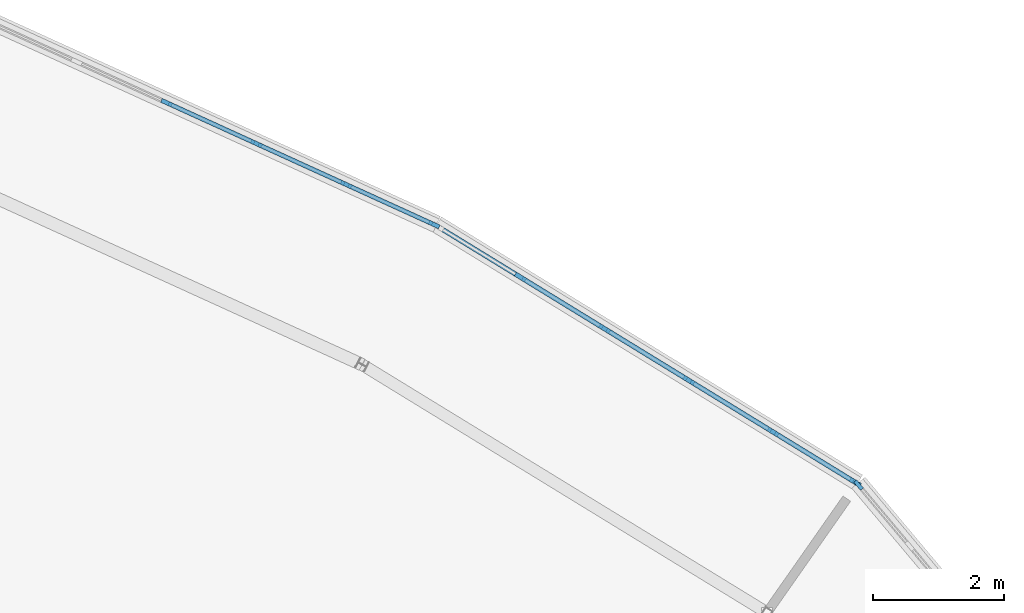
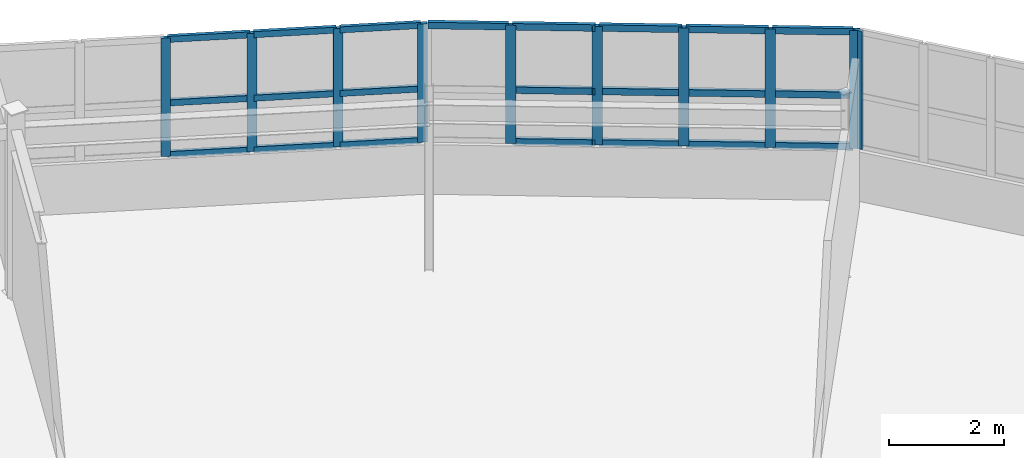
# One storey, part 35 of 65: 32 members, 3 elements without a shape of their own.
"""IFC4 building model written with IfcOpenShell, lengths in metres."""

from ifc_helpers import new_model, si_unit, direction, frame, origin, origin_2d, place, context, subcontext, project, spatial, rectangle, extrude, material, layer, layer_set, material_profile, profile_set, type_object, element, aggregate, save


model = new_model("IFC4")

# Units and contexts
model_context = context("Model", 3, precision=1e-05, world=origin(), true_north=direction((0.0, 1.0)))
body_context = subcontext(model_context, "Body", "Model", "MODEL_VIEW")
ifc_project = project(units=[si_unit("LENGTHUNIT", "METRE"), si_unit("AREAUNIT", "SQUARE_METRE"), si_unit("VOLUMEUNIT", "CUBIC_METRE"), si_unit("PLANEANGLEUNIT", "RADIAN"), si_unit("MASSUNIT", "GRAM", prefix="KILO")], contexts=[model_context])

# Site, building, storey
site_placement = place(None, origin())
site = spatial("IfcSite", under=ifc_project, at=site_placement, CompositionType="ELEMENT")
building_placement = place(site_placement, origin())
building = spatial("IfcBuilding", under=site, at=building_placement, Name="Tarnwether General Hospital", CompositionType="ELEMENT")
storey_placement = place(building_placement, frame((0.0, 0.0, 22.199951171875)))
storey = spatial("IfcBuildingStorey", under=building, at=storey_placement, Name="L05", CompositionType="ELEMENT", Elevation=22.199951171875)

# Curtain wall, member
ifc_material_1 = material(Name="Anodised aluminium", Category="aluminium")
ifc_layer_1 = layer(ifc_material_1, 0.159912109375)
ifc_layer_set_1 = layer_set([ifc_layer_1], Name="Anodised aluminium")
curtain_wall_type_1 = type_object("IfcCurtainWallType", Name="CW-03", PredefinedType="NOTDEFINED", material=ifc_layer_set_1)
curtain_wall_1_placement = place(storey_placement, origin())
curtain_wall_1 = element("IfcCurtainWall", 1, at=curtain_wall_1_placement, inside=storey, type_object=curtain_wall_type_1, Name="Curtain Wall CWG-L05-1273_1135-0085", PredefinedType="NOTDEFINED")
ifc_material_2 = material(Name="Anodised aluminium", Category="aluminium")
ifc_material_profile_1 = material_profile(ifc_material_2, rectangle(XDim=0.06005859375, YDim=0.159912109375, at=origin_2d()), Name="ALU-MUL-60x160")
ifc_profile_set_1 = profile_set([ifc_material_profile_1], Name="Anodised aluminium")
member_type_1 = type_object("IfcMemberType", Name="CW-ML1", PredefinedType="MULLION", material=ifc_profile_set_1)
member_1_placement = place(storey_placement, frame((127.351318359375, 113.43701171875, 1.050048828125), z_axis=(0.0, 0.0, 1.0), x_axis=(0.765990176896, 0.64285227611, 0.0)))
member_1 = element("IfcMember", 2, at=member_1_placement, type_object=member_type_1, Name="CW-03 mullion 1", PredefinedType="MULLION", context=body_context, shape_type="SweptSolid", body=[
    extrude(rectangle(XDim=0.06005859375, YDim=0.159912109375, at=origin_2d()), origin(), (0.0, 0.0, 1.0), 2.510009765625),
])
aggregate(curtain_wall_1, [member_1])

# Curtain wall, members
ifc_material_3 = material(Name="Anodised aluminium", Category="aluminium")
ifc_layer_2 = layer(ifc_material_3, 0.159912109375)
ifc_layer_set_2 = layer_set([ifc_layer_2], Name="Anodised aluminium")
curtain_wall_type_2 = type_object("IfcCurtainWallType", Name="CW-05", PredefinedType="NOTDEFINED", material=ifc_layer_set_2)
curtain_wall_2_placement = place(storey_placement, origin())
curtain_wall_2 = element("IfcCurtainWall", 3, at=curtain_wall_2_placement, inside=storey, type_object=curtain_wall_type_2, Name="Curtain Wall CWG-L05-1209_1174-0086", PredefinedType="NOTDEFINED")
ifc_material_4 = material(Name="Anodised aluminium", Category="aluminium")
ifc_material_profile_2 = material_profile(ifc_material_4, rectangle(XDim=0.070068359375, YDim=0.179931640625, at=origin_2d()), Name="ALU-MUL-70x180")
ifc_profile_set_2 = profile_set([ifc_material_profile_2], Name="Anodised aluminium")
member_type_2 = type_object("IfcMemberType", Name="CW-ML2", PredefinedType="MULLION", material=ifc_profile_set_2)
member_2_placement = place(storey_placement, frame((122.20166015625, 116.60400390625, 1.050048828125), z_axis=(0.0, 0.0, 1.0), x_axis=(0.522509056361, 0.852633734977, 0.0)))
member_2 = element("IfcMember", 4, at=member_2_placement, type_object=member_type_2, Name="CW-05 mullion 2", PredefinedType="MULLION", context=body_context, shape_type="SweptSolid", body=[
    extrude(rectangle(XDim=0.070068359375, YDim=0.179931640625, at=origin_2d()), origin(), (0.0, 0.0, 1.0), 2.510009765625),
])
member_3_placement = place(storey_placement, frame((123.484130859375, 115.818115234375, 1.050048828125), z_axis=(0.0, 0.0, 1.0), x_axis=(0.522509056361, 0.852633734977, 0.0)))
member_3 = element("IfcMember", 5, at=member_3_placement, type_object=member_type_2, Name="CW-05 mullion 3", PredefinedType="MULLION", context=body_context, shape_type="SweptSolid", body=[
    extrude(rectangle(XDim=0.070068359375, YDim=0.179931640625, at=origin_2d()), origin(), (0.0, 0.0, 1.0), 2.510009765625),
])
member_4_placement = place(storey_placement, frame((124.766845703125, 115.031982421875, 1.050048828125), z_axis=(0.0, 0.0, 1.0), x_axis=(0.522509056361, 0.852633734977, 0.0)))
member_4 = element("IfcMember", 6, at=member_4_placement, type_object=member_type_2, Name="CW-05 mullion 4", PredefinedType="MULLION", context=body_context, shape_type="SweptSolid", body=[
    extrude(rectangle(XDim=0.070068359375, YDim=0.179931640625, at=origin_2d()), origin(), (0.0, 0.0, 1.0), 2.510009765625),
])
member_5_placement = place(storey_placement, frame((126.04931640625, 114.24609375, 1.050048828125), z_axis=(0.0, 0.0, 1.0), x_axis=(0.522509056361, 0.852633734977, 0.0)))
member_5 = element("IfcMember", 7, at=member_5_placement, type_object=member_type_2, Name="CW-05 mullion 5", PredefinedType="MULLION", context=body_context, shape_type="SweptSolid", body=[
    extrude(rectangle(XDim=0.070068359375, YDim=0.179931640625, at=origin_2d()), origin(), (0.0, 0.0, 1.0), 2.510009765625),
])
member_6_placement = place(storey_placement, frame((127.30224609375, 113.478271484375, 1.050048828125), z_axis=(0.0, 0.0, 1.0), x_axis=(0.522509056361, 0.852633734977, 0.0)))
member_6 = element("IfcMember", 8, at=member_6_placement, type_object=member_type_2, Name="CW-05 mullion 6", PredefinedType="MULLION", context=body_context, shape_type="SweptSolid", body=[
    extrude(rectangle(XDim=0.070068359375, YDim=0.179931640625, at=origin_2d()), origin(), (0.0, 0.0, 1.0), 2.510009765625),
])

curtain_wall_3_placement = place(storey_placement, origin())
curtain_wall_3 = element("IfcCurtainWall", 9, at=curtain_wall_3_placement, inside=storey, type_object=curtain_wall_type_2, Name="Curtain Wall CWG-L05-1141_1205-0087", PredefinedType="NOTDEFINED")
ifc_material_5 = material(Name="Anodised aluminium", Category="aluminium")
ifc_material_profile_3 = material_profile(ifc_material_5, rectangle(XDim=0.06494140625, YDim=0.169921875, at=origin_2d()), Name="ALU-MUL-65x170")
ifc_profile_set_3 = profile_set([ifc_material_profile_3], Name="Anodised aluminium")
member_type_3 = type_object("IfcMemberType", Name="CW-ML3", PredefinedType="MULLION", material=ifc_profile_set_3)
member_7_placement = place(storey_placement, frame((116.8125, 119.261474609375, 1.050048828125), z_axis=(0.0, 0.0, 1.0), x_axis=(0.414694289316, 0.909960793886, 0.0)))
member_7 = element("IfcMember", 10, at=member_7_placement, type_object=member_type_3, Name="CW-05 mullion 3", PredefinedType="MULLION", context=body_context, shape_type="SweptSolid", body=[
    extrude(rectangle(XDim=0.06494140625, YDim=0.169921875, at=origin_2d()), origin(), (0.0, 0.0, 1.0), 2.510009765625),
])
member_8_placement = place(storey_placement, frame((118.181396484375, 118.6376953125, 1.050048828125), z_axis=(0.0, 0.0, 1.0), x_axis=(0.414694289316, 0.909960793886, 0.0)))
member_8 = element("IfcMember", 11, at=member_8_placement, type_object=member_type_3, Name="CW-05 mullion 4", PredefinedType="MULLION", context=body_context, shape_type="SweptSolid", body=[
    extrude(rectangle(XDim=0.06494140625, YDim=0.169921875, at=origin_2d()), origin(), (0.0, 0.0, 1.0), 2.510009765625),
])
member_9_placement = place(storey_placement, frame((119.55029296875, 118.013916015625, 1.050048828125), z_axis=(0.0, 0.0, 1.0), x_axis=(0.414694289316, 0.909960793886, 0.0)))
member_9 = element("IfcMember", 12, at=member_9_placement, type_object=member_type_3, Name="CW-05 mullion 5", PredefinedType="MULLION", context=body_context, shape_type="SweptSolid", body=[
    extrude(rectangle(XDim=0.06494140625, YDim=0.169921875, at=origin_2d()), origin(), (0.0, 0.0, 1.0), 2.510009765625),
])
member_10_placement = place(storey_placement, frame((120.889404296875, 117.403564453125, 1.050048828125), z_axis=(0.0, 0.0, 1.0), x_axis=(0.414694289316, 0.909960793886, 0.0)))
member_10 = element("IfcMember", 13, at=member_10_placement, type_object=member_type_3, Name="CW-05 mullion 6", PredefinedType="MULLION", context=body_context, shape_type="SweptSolid", body=[
    extrude(rectangle(XDim=0.06494140625, YDim=0.169921875, at=origin_2d()), origin(), (0.0, 0.0, 1.0), 2.510009765625),
])

# Member
ifc_material_6 = material(Name="Anodised aluminium", Category="aluminium")
ifc_material_profile_4 = material_profile(ifc_material_6, rectangle(XDim=0.070068359375, YDim=0.139892578125, at=origin_2d()), Name="ALU-TRN-70x140")
ifc_profile_set_4 = profile_set([ifc_material_profile_4], Name="Anodised aluminium")
member_type_4 = type_object("IfcMemberType", Name="CW-TR2", PredefinedType="USERDEFINED", material=ifc_profile_set_4)
member_11_placement = place(storey_placement, frame((120.978759765625, 117.353515625, 3.525146484375), z_axis=(0.852621311554, -0.522529328444, 0.0), x_axis=(0.522529328444, 0.852621311554, 0.0)))
member_11 = element("IfcMember", 14, at=member_11_placement, type_object=member_type_4, Name="CW-05 transom 1.3", ObjectType="TRANSOM", PredefinedType="USERDEFINED", context=body_context, shape_type="SweptSolid", body=[
    extrude(rectangle(XDim=0.070068359375, YDim=0.139892578125, at=origin_2d()), origin(), (0.0, 0.0, 1.0), 1.3994140625),
])

member_12_placement = place(storey_placement, frame((122.2314453125, 116.585693359375, 1.0849609375), z_axis=(0.85260369875, -0.522558066513, 0.0), x_axis=(0.522558066513, 0.85260369875, 0.0)))
member_12 = element("IfcMember", 15, at=member_12_placement, type_object=member_type_4, Name="CW-05 transom 2.1", ObjectType="TRANSOM", PredefinedType="USERDEFINED", context=body_context, shape_type="SweptSolid", body=[
    extrude(rectangle(XDim=0.070068359375, YDim=0.139892578125, at=origin_2d()), origin(), (0.0, 0.0, 1.0), 1.434326171875),
])

member_13_placement = place(storey_placement, frame((122.2314453125, 116.585693359375, 2.179443359375), z_axis=(0.85260369875, -0.522558066513, 0.0), x_axis=(0.522558066513, 0.85260369875, 0.0)))
member_13 = element("IfcMember", 16, at=member_13_placement, type_object=member_type_4, Name="CW-05 transom 2.2", ObjectType="TRANSOM", PredefinedType="USERDEFINED", context=body_context, shape_type="SweptSolid", body=[
    extrude(rectangle(XDim=0.070068359375, YDim=0.139892578125, at=origin_2d()), origin(), (0.0, 0.0, 1.0), 1.434326171875),
])

member_14_placement = place(storey_placement, frame((122.2314453125, 116.585693359375, 3.525146484375), z_axis=(0.85260369875, -0.522558066513, 0.0), x_axis=(0.522558066513, 0.85260369875, 0.0)))
member_14 = element("IfcMember", 17, at=member_14_placement, type_object=member_type_4, Name="CW-05 transom 2.3", ObjectType="TRANSOM", PredefinedType="USERDEFINED", context=body_context, shape_type="SweptSolid", body=[
    extrude(rectangle(XDim=0.070068359375, YDim=0.139892578125, at=origin_2d()), origin(), (0.0, 0.0, 1.0), 1.434326171875),
])

member_15_placement = place(storey_placement, frame((123.51416015625, 115.7998046875, 1.0849609375), z_axis=(0.85260369875, -0.522558066513, 0.0), x_axis=(0.522558066513, 0.85260369875, 0.0)))
member_15 = element("IfcMember", 18, at=member_15_placement, type_object=member_type_4, Name="CW-05 transom 3.1", ObjectType="TRANSOM", PredefinedType="USERDEFINED", context=body_context, shape_type="SweptSolid", body=[
    extrude(rectangle(XDim=0.070068359375, YDim=0.139892578125, at=origin_2d()), origin(), (0.0, 0.0, 1.0), 1.434326171875),
])

member_16_placement = place(storey_placement, frame((123.51416015625, 115.7998046875, 2.179443359375), z_axis=(0.85260369875, -0.522558066513, 0.0), x_axis=(0.522558066513, 0.85260369875, 0.0)))
member_16 = element("IfcMember", 19, at=member_16_placement, type_object=member_type_4, Name="CW-05 transom 3.2", ObjectType="TRANSOM", PredefinedType="USERDEFINED", context=body_context, shape_type="SweptSolid", body=[
    extrude(rectangle(XDim=0.070068359375, YDim=0.139892578125, at=origin_2d()), origin(), (0.0, 0.0, 1.0), 1.434326171875),
])

member_17_placement = place(storey_placement, frame((123.51416015625, 115.7998046875, 3.525146484375), z_axis=(0.85260369875, -0.522558066513, 0.0), x_axis=(0.522558066513, 0.85260369875, 0.0)))
member_17 = element("IfcMember", 20, at=member_17_placement, type_object=member_type_4, Name="CW-05 transom 3.3", ObjectType="TRANSOM", PredefinedType="USERDEFINED", context=body_context, shape_type="SweptSolid", body=[
    extrude(rectangle(XDim=0.070068359375, YDim=0.139892578125, at=origin_2d()), origin(), (0.0, 0.0, 1.0), 1.434326171875),
])

member_18_placement = place(storey_placement, frame((124.796630859375, 115.013671875, 1.0849609375), z_axis=(0.852679532957, -0.522434315561, 0.0), x_axis=(0.522434315561, 0.852679532957, 0.0)))
member_18 = element("IfcMember", 21, at=member_18_placement, type_object=member_type_4, Name="CW-05 transom 4.1", ObjectType="TRANSOM", PredefinedType="USERDEFINED", context=body_context, shape_type="SweptSolid", body=[
    extrude(rectangle(XDim=0.070068359375, YDim=0.139892578125, at=origin_2d()), origin(), (0.0, 0.0, 1.0), 1.43408203125),
])

member_19_placement = place(storey_placement, frame((124.796630859375, 115.013671875, 2.179443359375), z_axis=(0.852679532957, -0.522434315561, 0.0), x_axis=(0.522434315561, 0.852679532957, 0.0)))
member_19 = element("IfcMember", 22, at=member_19_placement, type_object=member_type_4, Name="CW-05 transom 4.2", ObjectType="TRANSOM", PredefinedType="USERDEFINED", context=body_context, shape_type="SweptSolid", body=[
    extrude(rectangle(XDim=0.070068359375, YDim=0.139892578125, at=origin_2d()), origin(), (0.0, 0.0, 1.0), 1.43408203125),
])

member_20_placement = place(storey_placement, frame((124.796630859375, 115.013671875, 3.525146484375), z_axis=(0.852679532957, -0.522434315561, 0.0), x_axis=(0.522434315561, 0.852679532957, 0.0)))
member_20 = element("IfcMember", 23, at=member_20_placement, type_object=member_type_4, Name="CW-05 transom 4.3", ObjectType="TRANSOM", PredefinedType="USERDEFINED", context=body_context, shape_type="SweptSolid", body=[
    extrude(rectangle(XDim=0.070068359375, YDim=0.139892578125, at=origin_2d()), origin(), (0.0, 0.0, 1.0), 1.43408203125),
])

member_21_placement = place(storey_placement, frame((126.079345703125, 114.227783203125, 1.0849609375), z_axis=(0.852573664934, -0.52260706641, 0.0), x_axis=(0.52260706641, 0.852573664934, 0.0)))
member_21 = element("IfcMember", 24, at=member_21_placement, type_object=member_type_4, Name="CW-05 transom 5.1", ObjectType="TRANSOM", PredefinedType="USERDEFINED", context=body_context, shape_type="SweptSolid", body=[
    extrude(rectangle(XDim=0.070068359375, YDim=0.139892578125, at=origin_2d()), origin(), (0.0, 0.0, 1.0), 1.399169921875),
])

member_22_placement = place(storey_placement, frame((126.079345703125, 114.227783203125, 2.179443359375), z_axis=(0.852573664934, -0.52260706641, 0.0), x_axis=(0.52260706641, 0.852573664934, 0.0)))
member_22 = element("IfcMember", 25, at=member_22_placement, type_object=member_type_4, Name="CW-05 transom 5.2", ObjectType="TRANSOM", PredefinedType="USERDEFINED", context=body_context, shape_type="SweptSolid", body=[
    extrude(rectangle(XDim=0.070068359375, YDim=0.139892578125, at=origin_2d()), origin(), (0.0, 0.0, 1.0), 1.399169921875),
])

member_23_placement = place(storey_placement, frame((126.079345703125, 114.227783203125, 3.525146484375), z_axis=(0.852573664934, -0.52260706641, 0.0), x_axis=(0.52260706641, 0.852573664934, 0.0)))
member_23 = element("IfcMember", 26, at=member_23_placement, type_object=member_type_4, Name="CW-05 transom 5.3", ObjectType="TRANSOM", PredefinedType="USERDEFINED", context=body_context, shape_type="SweptSolid", body=[
    extrude(rectangle(XDim=0.070068359375, YDim=0.139892578125, at=origin_2d()), origin(), (0.0, 0.0, 1.0), 1.399169921875),
])

aggregate(curtain_wall_2, [member_2, member_3, member_4, member_5, member_6, member_11, member_12, member_13, member_14, member_15, member_16, member_17, member_18, member_19, member_20, member_21, member_22, member_23])

ifc_material_7 = material(Name="Anodised aluminium", Category="aluminium")
ifc_material_profile_5 = material_profile(ifc_material_7, rectangle(XDim=0.06494140625, YDim=0.1298828125, at=origin_2d()), Name="ALU-TRN-65x130")
ifc_profile_set_5 = profile_set([ifc_material_profile_5], Name="Anodised aluminium")
member_type_5 = type_object("IfcMemberType", Name="CW-TR3", PredefinedType="USERDEFINED", material=ifc_profile_set_5)
member_24_placement = place(storey_placement, frame((116.84228515625, 119.247802734375, 1.08251953125), z_axis=(0.909994277716, -0.414620808117, 0.0), x_axis=(0.414620808117, 0.909994277716, 0.0)))
member_24 = element("IfcMember", 27, at=member_24_placement, type_object=member_type_5, Name="CW-05 transom 3.1", ObjectType="TRANSOM", PredefinedType="USERDEFINED", context=body_context, shape_type="SweptSolid", body=[
    extrude(rectangle(XDim=0.06494140625, YDim=0.1298828125, at=origin_2d()), origin(), (0.0, 0.0, 1.0), 1.439208984375),
])

member_25_placement = place(storey_placement, frame((116.84228515625, 119.247802734375, 2.179443359375), z_axis=(0.909994277716, -0.414620808117, 0.0), x_axis=(0.414620808117, 0.909994277716, 0.0)))
member_25 = element("IfcMember", 28, at=member_25_placement, type_object=member_type_5, Name="CW-05 transom 3.2", ObjectType="TRANSOM", PredefinedType="USERDEFINED", context=body_context, shape_type="SweptSolid", body=[
    extrude(rectangle(XDim=0.06494140625, YDim=0.1298828125, at=origin_2d()), origin(), (0.0, 0.0, 1.0), 1.439208984375),
])

member_26_placement = place(storey_placement, frame((116.84228515625, 119.247802734375, 3.527587890625), z_axis=(0.909994277716, -0.414620808117, 0.0), x_axis=(0.414620808117, 0.909994277716, 0.0)))
member_26 = element("IfcMember", 29, at=member_26_placement, type_object=member_type_5, Name="CW-05 transom 3.3", ObjectType="TRANSOM", PredefinedType="USERDEFINED", context=body_context, shape_type="SweptSolid", body=[
    extrude(rectangle(XDim=0.06494140625, YDim=0.1298828125, at=origin_2d()), origin(), (0.0, 0.0, 1.0), 1.439208984375),
])

member_27_placement = place(storey_placement, frame((118.2109375, 118.6240234375, 1.08251953125), z_axis=(0.909994277716, -0.414620808117, 0.0), x_axis=(0.414620808117, 0.909994277716, 0.0)))
member_27 = element("IfcMember", 30, at=member_27_placement, type_object=member_type_5, Name="CW-05 transom 4.1", ObjectType="TRANSOM", PredefinedType="USERDEFINED", context=body_context, shape_type="SweptSolid", body=[
    extrude(rectangle(XDim=0.06494140625, YDim=0.1298828125, at=origin_2d()), origin(), (0.0, 0.0, 1.0), 1.439208984375),
])

member_28_placement = place(storey_placement, frame((118.2109375, 118.6240234375, 2.179443359375), z_axis=(0.909994277716, -0.414620808117, 0.0), x_axis=(0.414620808117, 0.909994277716, 0.0)))
member_28 = element("IfcMember", 31, at=member_28_placement, type_object=member_type_5, Name="CW-05 transom 4.2", ObjectType="TRANSOM", PredefinedType="USERDEFINED", context=body_context, shape_type="SweptSolid", body=[
    extrude(rectangle(XDim=0.06494140625, YDim=0.1298828125, at=origin_2d()), origin(), (0.0, 0.0, 1.0), 1.439208984375),
])

member_29_placement = place(storey_placement, frame((118.2109375, 118.6240234375, 3.527587890625), z_axis=(0.909994277716, -0.414620808117, 0.0), x_axis=(0.414620808117, 0.909994277716, 0.0)))
member_29 = element("IfcMember", 32, at=member_29_placement, type_object=member_type_5, Name="CW-05 transom 4.3", ObjectType="TRANSOM", PredefinedType="USERDEFINED", context=body_context, shape_type="SweptSolid", body=[
    extrude(rectangle(XDim=0.06494140625, YDim=0.1298828125, at=origin_2d()), origin(), (0.0, 0.0, 1.0), 1.439208984375),
])

member_30_placement = place(storey_placement, frame((119.579833984375, 118.000244140625, 1.08251953125), z_axis=(0.909985682868, -0.414639671251, 0.0), x_axis=(0.414639671251, 0.909985682868, 0.0)))
member_30 = element("IfcMember", 33, at=member_30_placement, type_object=member_type_5, Name="CW-05 transom 5.1", ObjectType="TRANSOM", PredefinedType="USERDEFINED", context=body_context, shape_type="SweptSolid", body=[
    extrude(rectangle(XDim=0.06494140625, YDim=0.1298828125, at=origin_2d()), origin(), (0.0, 0.0, 1.0), 1.40673828125),
])

member_31_placement = place(storey_placement, frame((119.579833984375, 118.000244140625, 2.179443359375), z_axis=(0.909985682868, -0.414639671251, 0.0), x_axis=(0.414639671251, 0.909985682868, 0.0)))
member_31 = element("IfcMember", 34, at=member_31_placement, type_object=member_type_5, Name="CW-05 transom 5.2", ObjectType="TRANSOM", PredefinedType="USERDEFINED", context=body_context, shape_type="SweptSolid", body=[
    extrude(rectangle(XDim=0.06494140625, YDim=0.1298828125, at=origin_2d()), origin(), (0.0, 0.0, 1.0), 1.40673828125),
])

member_32_placement = place(storey_placement, frame((119.579833984375, 118.000244140625, 3.527587890625), z_axis=(0.909985682868, -0.414639671251, 0.0), x_axis=(0.414639671251, 0.909985682868, 0.0)))
member_32 = element("IfcMember", 35, at=member_32_placement, type_object=member_type_5, Name="CW-05 transom 5.3", ObjectType="TRANSOM", PredefinedType="USERDEFINED", context=body_context, shape_type="SweptSolid", body=[
    extrude(rectangle(XDim=0.06494140625, YDim=0.1298828125, at=origin_2d()), origin(), (0.0, 0.0, 1.0), 1.40673828125),
])

aggregate(curtain_wall_3, [member_7, member_8, member_9, member_10, member_24, member_25, member_26, member_27, member_28, member_29, member_30, member_31, member_32])

save(model, "model.ifc")
